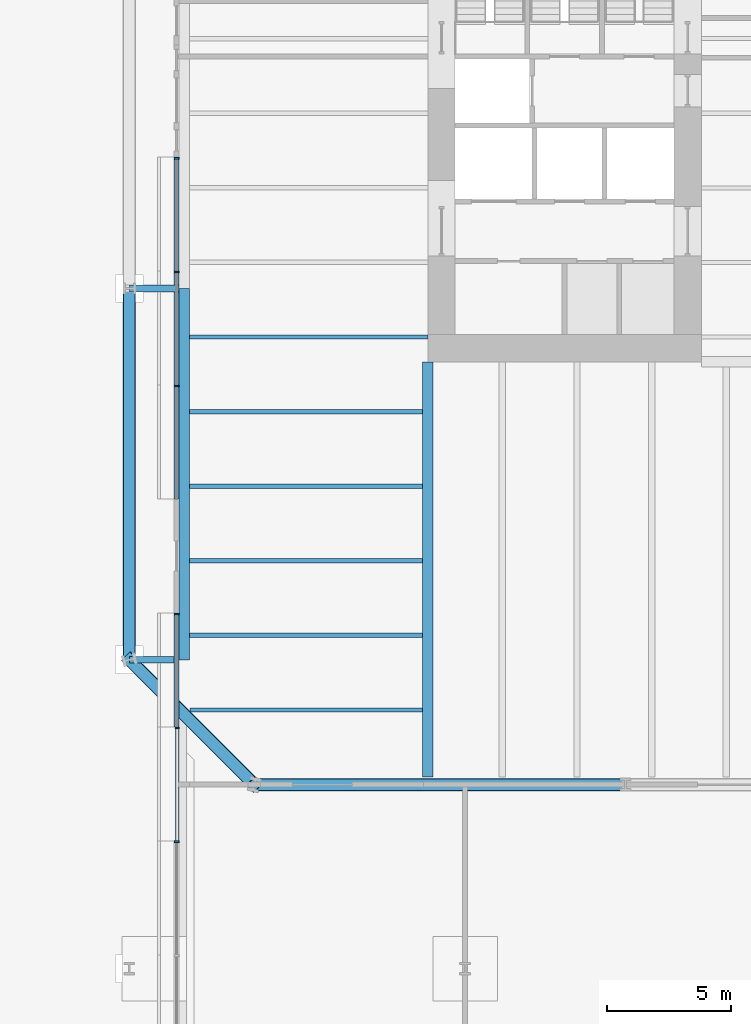
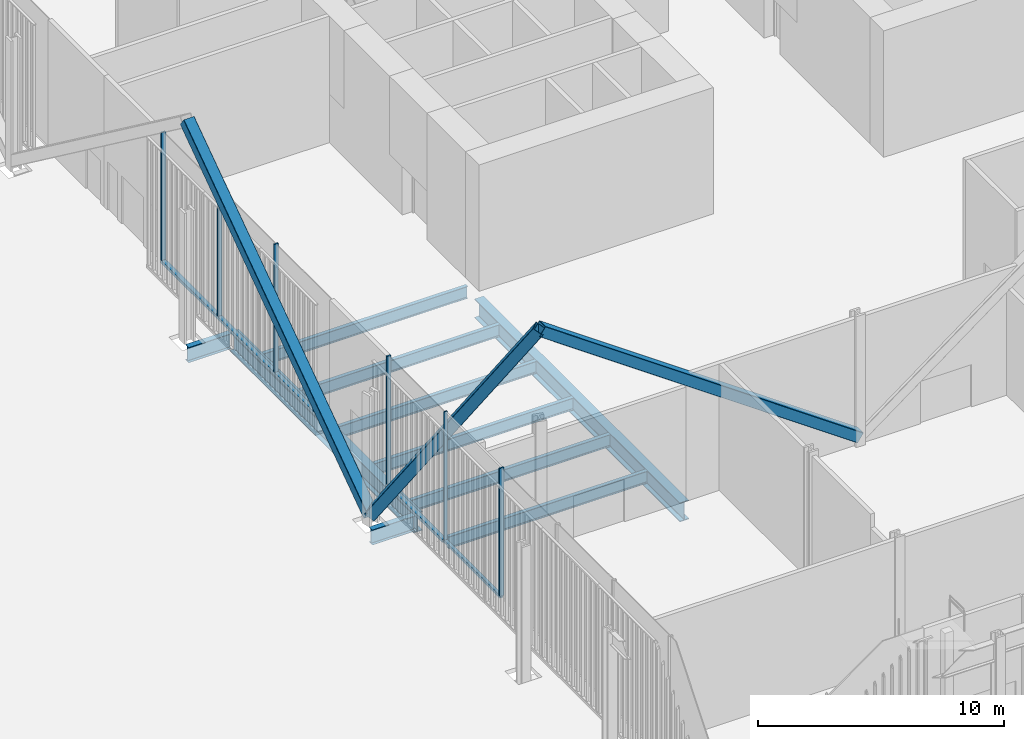
# One storey, part 5 of 28: 12 members, 10 beams, 2 elements without a shape of their own.
"""IFC4 building model written with IfcOpenShell, lengths in metres."""

from ifc_helpers import new_model, si_unit, direction, frame, origin, origin_2d, place, context, subcontext, project, spatial, rectangle, hollow_rectangle, i_section, extrude, material, layer, layer_set, material_profile, profile_set, type_object, element, aggregate, save


model = new_model("IFC4")

# Units and contexts
model_context = context("Model", 3, precision=1e-05, world=origin(), true_north=direction((0.0, 1.0)))
body_context = subcontext(model_context, "Body", "Model", "MODEL_VIEW")
ifc_project = project(units=[si_unit("LENGTHUNIT", "METRE"), si_unit("AREAUNIT", "SQUARE_METRE"), si_unit("VOLUMEUNIT", "CUBIC_METRE"), si_unit("PLANEANGLEUNIT", "RADIAN"), si_unit("MASSUNIT", "GRAM", prefix="KILO")], contexts=[model_context])

# Site, building, storey
site_placement = place(None, origin())
site = spatial("IfcSite", under=ifc_project, at=site_placement, CompositionType="ELEMENT")
building_placement = place(site_placement, origin())
building = spatial("IfcBuilding", under=site, at=building_placement, Name="Millrace Tower", CompositionType="ELEMENT")
storey_placement = place(building_placement, origin())
storey = spatial("IfcBuildingStorey", under=building, at=storey_placement, Name="L01", CompositionType="ELEMENT", Elevation=0.0)

# Curtain wall, members
ifc_material_1 = material(Name="Aluminium and glass", Category="aluminium")
ifc_layer_1 = layer(ifc_material_1, 0.14990234375)
ifc_layer_set_1 = layer_set([ifc_layer_1], Name="Aluminium and glass")
curtain_wall_type_1 = type_object("IfcCurtainWallType", Name="CW-5 truss and plant storey louvred infill", PredefinedType="NOTDEFINED", material=ifc_layer_set_1)
placement = place(storey_placement, origin())
curtain_wall_1 = element("IfcCurtainWall", 1, at=placement, inside=storey, type_object=curtain_wall_type_1, Name="Curtain wall AW1-F06 L01 CW5", PredefinedType="NOTDEFINED")
ifc_material_2 = material(Name="Aluminium", Category="aluminium")
ifc_material_profile_1 = material_profile(ifc_material_2, rectangle(XDim=0.06494140625, YDim=0.14990234375, at=origin_2d()))
ifc_profile_set_1 = profile_set([ifc_material_profile_1], Name="Aluminium")
member_type_1 = type_object("IfcMemberType", Name="CW-5 truss and plant storey louvred infill mullion", PredefinedType="MULLION", material=ifc_profile_set_1)
member_1_placement = place(storey_placement, frame((-25.074951171875, -24.7158203125, 0.139892578125), z_axis=(0.0, 0.0, 1.0), x_axis=(0.0, -1.0, 0.0)))
member_1 = element("IfcMember", 2, at=member_1_placement, type_object=member_type_1, Name="CW5 mullion AW1-F06.11", PredefinedType="MULLION", context=body_context, shape_type="SweptSolid", body=[
    extrude(rectangle(XDim=0.06494140625, YDim=0.14990234375, at=origin_2d()), origin(), (0.0, 0.0, 1.0), 6.360107421875),
])
ifc_material_3 = material(Name="Aluminium", Category="aluminium")
ifc_material_profile_2 = material_profile(ifc_material_3, rectangle(XDim=0.14990234375, YDim=0.139892578125, at=origin_2d()))
ifc_profile_set_2 = profile_set([ifc_material_profile_2], Name="Aluminium")
member_type_2 = type_object("IfcMemberType", Name="CW-5 truss and plant storey louvred infill transom", PredefinedType="USERDEFINED", material=ifc_profile_set_2)
member_2_placement = place(storey_placement, frame((-25.074951171875, -24.683349609375, 0.070068359375), z_axis=(0.0, -1.0, 0.0), x_axis=(1.0, 0.0, 0.0)))
member_2 = element("IfcMember", 3, at=member_2_placement, type_object=member_type_2, Name="CW5 transom AW1-F06.5", ObjectType="TRANSOM", PredefinedType="USERDEFINED", context=body_context, shape_type="SweptSolid", body=[
    extrude(rectangle(XDim=0.14990234375, YDim=0.139892578125, at=origin_2d()), origin(), (0.0, 0.0, 1.0), 4.583251953125),
])
aggregate(curtain_wall_1, [member_1, member_2])

ifc_material_4 = material(Name="Aluminium and glass", Category="aluminium")
ifc_layer_2 = layer(ifc_material_4, 0.199951171875)
ifc_layer_set_2 = layer_set([ifc_layer_2], Name="Aluminium and glass")
curtain_wall_type_2 = type_object("IfcCurtainWallType", Name="CW-6 lobby and cascade wing storefront", PredefinedType="NOTDEFINED", material=ifc_layer_set_2)
curtain_wall_2 = element("IfcCurtainWall", 4, at=placement, inside=storey, type_object=curtain_wall_type_2, Name="Curtain wall AW1-F06 L01", PredefinedType="NOTDEFINED")
ifc_material_5 = material(Name="Aluminium", Category="aluminium")
ifc_material_profile_3 = material_profile(ifc_material_5, rectangle(XDim=0.074951171875, YDim=0.199951171875, at=origin_2d()))
ifc_profile_set_3 = profile_set([ifc_material_profile_3], Name="Aluminium")
member_type_3 = type_object("IfcMemberType", Name="CW-6 lobby and cascade wing storefront mullion", PredefinedType="MULLION", material=ifc_profile_set_3)
member_3_placement = place(storey_placement, frame((-25.10009765625, -1.80419921875, 0.14990234375), z_axis=(0.0, 0.0, 1.0), x_axis=(0.0, -1.0, 0.0)))
member_3 = element("IfcMember", 5, at=member_3_placement, type_object=member_type_3, Name="CW6 mullion AW1-F06.6", PredefinedType="MULLION", context=body_context, shape_type="SweptSolid", body=[
    extrude(rectangle(XDim=0.074951171875, YDim=0.199951171875, at=origin_2d()), origin(), (0.0, 0.0, 1.0), 6.35009765625),
])
member_4_placement = place(storey_placement, frame((-25.10009765625, -6.387451171875, 0.14990234375), z_axis=(0.0, 0.0, 1.0), x_axis=(0.0, -1.0, 0.0)))
member_4 = element("IfcMember", 6, at=member_4_placement, type_object=member_type_3, Name="CW6 mullion AW1-F06.7", PredefinedType="MULLION", context=body_context, shape_type="SweptSolid", body=[
    extrude(rectangle(XDim=0.074951171875, YDim=0.199951171875, at=origin_2d()), origin(), (0.0, 0.0, 1.0), 6.35009765625),
])
member_5_placement = place(storey_placement, frame((-25.10009765625, -10.970947265625, 0.14990234375), z_axis=(0.0, 0.0, 1.0), x_axis=(0.0, -1.0, 0.0)))
member_5 = element("IfcMember", 7, at=member_5_placement, type_object=member_type_3, Name="CW6 mullion AW1-F06.8", PredefinedType="MULLION", context=body_context, shape_type="SweptSolid", body=[
    extrude(rectangle(XDim=0.074951171875, YDim=0.199951171875, at=origin_2d()), origin(), (0.0, 0.0, 1.0), 6.35009765625),
])
member_6_placement = place(storey_placement, frame((-25.10009765625, -20.137451171875, 0.14990234375), z_axis=(0.0, 0.0, 1.0), x_axis=(0.0, -1.0, 0.0)))
member_6 = element("IfcMember", 8, at=member_6_placement, type_object=member_type_3, Name="CW6 mullion AW1-F06.10", PredefinedType="MULLION", context=body_context, shape_type="SweptSolid", body=[
    extrude(rectangle(XDim=0.074951171875, YDim=0.199951171875, at=origin_2d()), origin(), (0.0, 0.0, 1.0), 6.35009765625),
])
member_7_placement = place(storey_placement, frame((-25.10009765625, -29.30419921875, 0.14990234375), z_axis=(0.0, 0.0, 1.0), x_axis=(0.0, -1.0, 0.0)))
member_7 = element("IfcMember", 9, at=member_7_placement, type_object=member_type_3, Name="CW6 mullion AW1-F06.12", PredefinedType="MULLION", context=body_context, shape_type="SweptSolid", body=[
    extrude(rectangle(XDim=0.074951171875, YDim=0.199951171875, at=origin_2d()), origin(), (0.0, 0.0, 1.0), 6.35009765625),
])
ifc_material_6 = material(Name="Aluminium", Category="aluminium")
ifc_material_profile_4 = material_profile(ifc_material_6, rectangle(XDim=0.199951171875, YDim=0.14990234375, at=origin_2d()))
ifc_profile_set_4 = profile_set([ifc_material_profile_4], Name="Aluminium")
member_type_4 = type_object("IfcMemberType", Name="CW-6 lobby and cascade wing storefront transom", PredefinedType="USERDEFINED", material=ifc_profile_set_4)
member_8_placement = place(storey_placement, frame((-25.10009765625, -1.7666015625, 0.074951171875), z_axis=(0.0, -1.0, 0.0), x_axis=(1.0, 0.0, 0.0)))
member_8 = element("IfcMember", 10, at=member_8_placement, type_object=member_type_4, Name="CW6 transom AW1-F06.3", ObjectType="TRANSOM", PredefinedType="USERDEFINED", context=body_context, shape_type="SweptSolid", body=[
    extrude(rectangle(XDim=0.199951171875, YDim=0.14990234375, at=origin_2d()), origin(), (0.0, 0.0, 1.0), 13.75),
])
member_9_placement = place(storey_placement, frame((-25.10009765625, -20.10009765625, 0.074951171875), z_axis=(0.0, -1.0, 0.0), x_axis=(1.0, 0.0, 0.0)))
member_9 = element("IfcMember", 11, at=member_9_placement, type_object=member_type_4, Name="CW6 transom AW1-F06.4", ObjectType="TRANSOM", PredefinedType="USERDEFINED", context=body_context, shape_type="SweptSolid", body=[
    extrude(rectangle(XDim=0.199951171875, YDim=0.14990234375, at=origin_2d()), origin(), (0.0, 0.0, 1.0), 4.583251953125),
])
aggregate(curtain_wall_2, [member_3, member_4, member_5, member_6, member_7, member_8, member_9])

# Members
ifc_material_7 = material(Name="Steel ASTM A500 Grade C", Category="steel")
ifc_material_profile_5 = material_profile(ifc_material_7, hollow_rectangle(XDim=0.508056640625, YDim=0.508056640625, WallThickness=0.022216796875, InnerFilletRadius=0.01123046875, OuterFilletRadius=0.033447265625, at=origin_2d()))
ifc_profile_set_5 = profile_set([ifc_material_profile_5], Name="Steel ASTM A500 Grade C")
member_type_5 = type_object("IfcMemberType", Name="Exoskeleton brace HSS20x20x7/8", PredefinedType="BRACE", material=ifc_profile_set_5)
member_10_placement = place(storey_placement, frame((-27.0, -21.978515625, 0.39990234375), z_axis=(0.396141533901, -0.396141533901, 0.828337956535), x_axis=(0.707106781187, 0.707106781187, 0.0)))
element("IfcMember", 12, at=member_10_placement, inside=storey, type_object=member_type_5, Name="BRC-A-L01-01", PredefinedType="BRACE", context=body_context, shape_type="SweptSolid", body=[
    extrude(hollow_rectangle(XDim=0.508056640625, YDim=0.508056640625, WallThickness=0.022216796875, InnerFilletRadius=0.01123046875, OuterFilletRadius=0.033447265625, at=origin_2d()), origin(), (0.0, 0.0, 1.0), 12.676025390625),
])
for number, where, z_axis, x_axis, name in (
    (13, (-7.050048828125, -27.0, 0.39990234375), (-0.817940936421, 0.0, 0.575302202783), (0.0, -1.0, 0.0), "BRC-A-L01-02"),
    (14, (-27.0, -21.978515625, 0.39990234375), (0.0, 0.817940936421, 0.575302202783), (-1.0, 0.0, 0.0), "BRC-A-L01-16"),
):
    element("IfcMember", number, at=place(storey_placement, frame(where, z_axis=z_axis, x_axis=x_axis)), inside=storey, type_object=member_type_5, Name=name, PredefinedType="BRACE", context=body_context, shape_type="SweptSolid", body=[
        extrude(hollow_rectangle(XDim=0.508056640625, YDim=0.508056640625, WallThickness=0.022216796875, InnerFilletRadius=0.01123046875, OuterFilletRadius=0.033447265625, at=origin_2d()), origin(), (0.0, 0.0, 1.0), 18.251220703125),
    ])

# Beams
ifc_material_8 = material(Name="Steel ASTM A992 Grade 50", Category="steel")
ifc_material_profile_6 = material_profile(ifc_material_8, i_section(OverallWidth=0.177978515625, OverallDepth=0.599365234375, WebThickness=0.010009765625, FlangeThickness=0.012939453125, FilletRadius=0.012939453125, at=origin_2d()))
ifc_profile_set_6 = profile_set([ifc_material_profile_6], Name="Steel ASTM A992 Grade 50")
beam_type_1 = type_object("IfcBeamType", Name="Floor beam W24x55", PredefinedType="JOIST", material=ifc_profile_set_6)
beam_1_placement = place(storey_placement, frame((-24.55419921875, -24.0, -0.599609375), z_axis=(1.0, 0.0, 0.0), x_axis=(0.0, 1.0, 0.0)))
element("IfcBeam", 15, at=beam_1_placement, inside=storey, type_object=beam_type_1, Name="BM-A-L01-S1-S001", PredefinedType="JOIST", context=body_context, shape_type="SweptSolid", body=[
    extrude(i_section(OverallWidth=0.177978515625, OverallDepth=0.599365234375, WebThickness=0.010009765625, FlangeThickness=0.012939453125, FilletRadius=0.012939453125, at=origin_2d()), origin(), (0.0, 0.0, 1.0), 9.342041015625),
])
for number, where, z_axis, x_axis, name in (
    (16, (-24.578369140625, -21.0, -0.599609375), (1.0, 0.0, 0.0), (0.0, 1.0, 0.0), "BM-A-L01-S1-S003"),
    (17, (-24.578369140625, -18.0, -0.599609375), (1.0, 0.0, 0.0), (0.0, 1.0, 0.0), "BM-A-L01-S1-S005"),
    (18, (-24.578369140625, -15.0, -0.599609375), (1.0, 0.0, 0.0), (0.0, 1.0, 0.0), "BM-A-L01-S1-S007"),
    (19, (-24.578369140625, -12.0, -0.599609375), (1.0, 0.0, 0.0), (0.0, 1.0, 0.0), "BM-A-L01-S1-S009"),
):
    element("IfcBeam", number, at=place(storey_placement, frame(where, z_axis=z_axis, x_axis=x_axis)), inside=storey, type_object=beam_type_1, Name=name, PredefinedType="JOIST", context=body_context, shape_type="SweptSolid", body=[
        extrude(i_section(OverallWidth=0.177978515625, OverallDepth=0.599365234375, WebThickness=0.010009765625, FlangeThickness=0.012939453125, FilletRadius=0.012939453125, at=origin_2d()), origin(), (0.0, 0.0, 1.0), 9.3662109375),
    ])
beam_2_placement = place(storey_placement, frame((-24.578369140625, -9.0, -0.599609375), z_axis=(1.0, 0.0, 0.0), x_axis=(0.0, 1.0, 0.0)))
element("IfcBeam", 20, at=beam_2_placement, inside=storey, type_object=beam_type_1, Name="BM-A-L01-S1-S012", PredefinedType="JOIST", context=body_context, shape_type="SweptSolid", body=[
    extrude(i_section(OverallWidth=0.177978515625, OverallDepth=0.599365234375, WebThickness=0.010009765625, FlangeThickness=0.012939453125, FilletRadius=0.012939453125, at=origin_2d()), origin(), (0.0, 0.0, 1.0), 9.578369140625),
])
ifc_material_9 = material(Name="Steel ASTM A992 Grade 50", Category="steel")
ifc_material_profile_7 = material_profile(ifc_material_9, i_section(OverallWidth=0.424072265625, OverallDepth=0.947509765625, WebThickness=0.02392578125, FlangeThickness=0.042724609375, FilletRadius=0.024169921875, at=origin_2d()))
ifc_profile_set_7 = profile_set([ifc_material_profile_7], Name="Steel ASTM A992 Grade 50")
beam_type_2 = type_object("IfcBeamType", Name="Girder medium span W36x302", PredefinedType="BEAM", material=ifc_profile_set_7)
beam_3_placement = place(storey_placement, frame((-15.0, -26.699951171875, -0.773681640625), z_axis=(0.0, 1.0, 0.0), x_axis=(-1.0, 0.0, 0.0)))
element("IfcBeam", 21, at=beam_3_placement, inside=storey, type_object=beam_type_2, Name="BM-A-L01-S1-G061", PredefinedType="BEAM", context=body_context, shape_type="SweptSolid", body=[
    extrude(i_section(OverallWidth=0.424072265625, OverallDepth=0.947509765625, WebThickness=0.02392578125, FlangeThickness=0.042724609375, FilletRadius=0.024169921875, at=origin_2d()), origin(), (0.0, 0.0, 1.0), 16.699951171875),
])
ifc_material_10 = material(Name="Steel ASTM A992 Grade 50", Category="steel")
ifc_material_profile_8 = material_profile(ifc_material_10, i_section(OverallWidth=0.2666015625, OverallDepth=0.7568359375, WebThickness=0.013916015625, FlangeThickness=0.019287109375, FilletRadius=0.0166015625, at=origin_2d()))
ifc_profile_set_8 = profile_set([ifc_material_profile_8], Name="Steel ASTM A992 Grade 50")
beam_type_3 = type_object("IfcBeamType", Name="Link beam W30x108", PredefinedType="BEAM", material=ifc_profile_set_8)
for number, where, z_axis, x_axis, name in (
    (22, (-25.0, -21.978515625, -0.678466796875), (-1.0, 0.0, 0.0), (0.0, -1.0, 0.0), "LNK-A-L01-S1-01"),
    (23, (-25.0, -7.050048828125, -0.678466796875), (-1.0, 0.0, 0.0), (0.0, -1.0, 0.0), "LNK-A-L01-S1-02"),
):
    element("IfcBeam", number, at=place(storey_placement, frame(where, z_axis=z_axis, x_axis=x_axis)), inside=storey, type_object=beam_type_3, Name=name, PredefinedType="BEAM", context=body_context, shape_type="SweptSolid", body=[
        extrude(i_section(OverallWidth=0.2666015625, OverallDepth=0.7568359375, WebThickness=0.013916015625, FlangeThickness=0.019287109375, FilletRadius=0.0166015625, at=origin_2d()), origin(), (0.0, 0.0, 1.0), 2.0),
    ])
ifc_material_11 = material(Name="Steel ASTM A992 Grade 50", Category="steel")
ifc_material_profile_9 = material_profile(ifc_material_11, i_section(OverallWidth=0.421630859375, OverallDepth=0.937255859375, WebThickness=0.021240234375, FlangeThickness=0.03662109375, FilletRadius=0.024169921875, at=origin_2d()))
ifc_profile_set_9 = profile_set([ifc_material_profile_9], Name="Steel ASTM A992 Grade 50")
beam_type_4 = type_object("IfcBeamType", Name="Ring beam medium span W36x262", PredefinedType="SPANDREL", material=ifc_profile_set_9)
beam_4_placement = place(storey_placement, frame((-24.7890625, -21.978515625, -0.7685546875), z_axis=(0.0, 1.0, 0.0), x_axis=(-1.0, 0.0, 0.0)))
element("IfcBeam", 24, at=beam_4_placement, inside=storey, type_object=beam_type_4, Name="RNG-A-L01-S1-01", PredefinedType="SPANDREL", context=body_context, shape_type="SweptSolid", body=[
    extrude(i_section(OverallWidth=0.421630859375, OverallDepth=0.937255859375, WebThickness=0.021240234375, FlangeThickness=0.03662109375, FilletRadius=0.024169921875, at=origin_2d()), origin(), (0.0, 0.0, 1.0), 14.928466796875),
])

save(model, "model.ifc")
